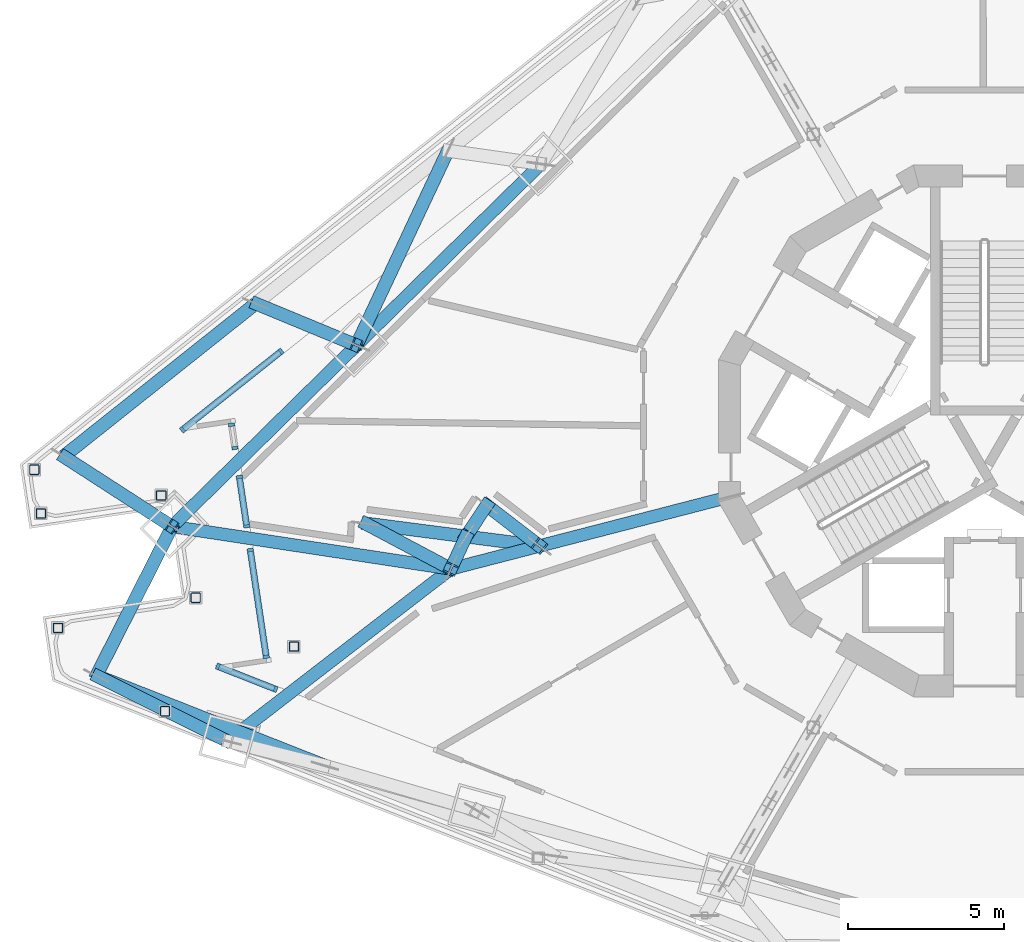
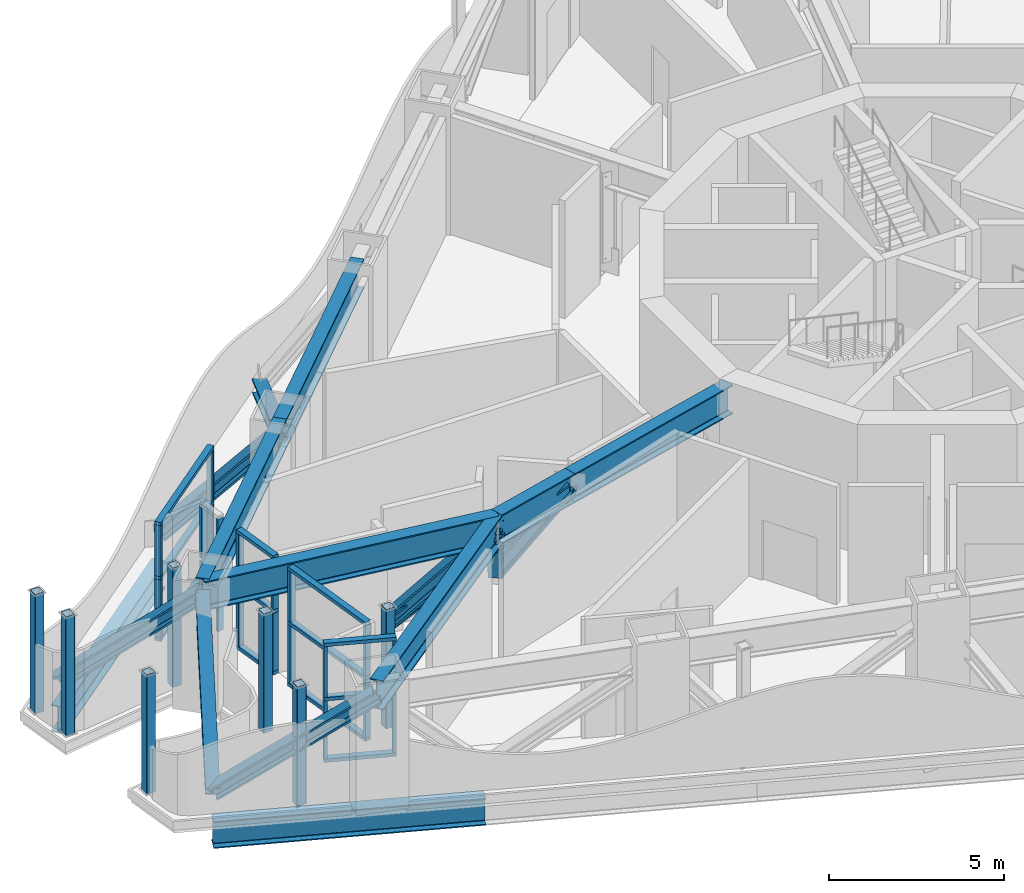
# One storey, part 2 of 27: 53 members, 4 beams, 5 elements without a shape of their own.
"""IFC4 building model written with IfcOpenShell, lengths in metres."""

from ifc_helpers import new_model, si_unit, direction, frame, origin, origin_2d, place, context, subcontext, project, spatial, rectangle, hollow_rectangle, i_section, extrude, material, layer, layer_set, material_profile, profile_set, type_object, element, aggregate, save


model = new_model("IFC4")

# Units and contexts
model_context = context("Model", 3, precision=1e-05, world=origin(), true_north=direction((0.0, 1.0)))
body_context = subcontext(model_context, "Body", "Model", "MODEL_VIEW")
ifc_project = project(units=[si_unit("LENGTHUNIT", "METRE"), si_unit("AREAUNIT", "SQUARE_METRE"), si_unit("VOLUMEUNIT", "CUBIC_METRE"), si_unit("PLANEANGLEUNIT", "RADIAN"), si_unit("MASSUNIT", "GRAM", prefix="KILO")], contexts=[model_context])

# Site, building, storey
site_placement = place(None, origin())
site = spatial("IfcSite", under=ifc_project, at=site_placement, CompositionType="ELEMENT")
building_placement = place(site_placement, origin())
building = spatial("IfcBuilding", under=site, at=building_placement, Name="Trine Commons Tower", CompositionType="ELEMENT")
storey_placement = place(building_placement, frame((0.0, 0.0, 230.39990234375)))
storey = spatial("IfcBuildingStorey", under=building, at=storey_placement, Name="L60", CompositionType="ELEMENT", Elevation=230.39990234375)

# Curtain wall, members
ifc_material_1 = material(Name="Plant louvre wall: anodised aluminium frame with anodised aluminium louvre blades", Category="aluminium")
ifc_layer = layer(ifc_material_1, 0.199951171875)
ifc_layer_set = layer_set([ifc_layer], Name="Plant louvre wall: anodised aluminium frame with anodised aluminium louvre blades")
curtain_wall_type = type_object("IfcCurtainWallType", Name="Plant louvre wall curtain wall CW7", PredefinedType="NOTDEFINED", material=ifc_layer_set)
curtain_wall_1_placement = place(storey_placement, origin())
curtain_wall_1 = element("IfcCurtainWall", 1, at=curtain_wall_1_placement, inside=storey, type_object=curtain_wall_type, Name="Plant louvre wall L60 F1.1", PredefinedType="NOTDEFINED")
ifc_material_2 = material(Name="Anodised aluminium, bronze finish", Category="aluminium")
ifc_material_profile_1 = material_profile(ifc_material_2, rectangle(XDim=0.199951171875, YDim=0.10009765625, at=origin_2d()), Name="Mullion 100x200")
ifc_profile_set_1 = profile_set([ifc_material_profile_1], Name="Anodised aluminium, bronze finish")
member_type_1 = type_object("IfcMemberType", Name="Mullion 100x200, Anodised aluminium, bronze finish", PredefinedType="MULLION", material=ifc_profile_set_1)
member_1_placement = place(storey_placement, frame((54.357421875, 62.53515625, 0.1201171875), z_axis=(0.0, 0.0, 1.0), x_axis=(-0.622514636638, 0.782608156852, 0.0)))
member_1 = element("IfcMember", 2, at=member_1_placement, type_object=member_type_1, Name="CW7 mullion 1.1", PredefinedType="MULLION", context=body_context, shape_type="SweptSolid", body=[
    extrude(rectangle(XDim=0.199951171875, YDim=0.10009765625, at=origin_2d()), origin(), (0.0, 0.0, 1.0), 2.02001953125),
])
member_2_placement = place(storey_placement, frame((54.357421875, 62.53515625, 2.260009765625), z_axis=(0.0, 0.0, 1.0), x_axis=(-0.622514636638, 0.782608156852, 0.0)))
member_2 = element("IfcMember", 3, at=member_2_placement, type_object=member_type_1, Name="CW7 mullion 1.2", PredefinedType="MULLION", context=body_context, shape_type="SweptSolid", body=[
    extrude(rectangle(XDim=0.199951171875, YDim=0.10009765625, at=origin_2d()), origin(), (0.0, 0.0, 1.0), 1.77001953125),
])
member_3_placement = place(storey_placement, frame((57.5087890625, 65.0419921875, 0.1201171875), z_axis=(0.0, 0.0, 1.0), x_axis=(-0.622514636638, 0.782608156852, 0.0)))
member_3 = element("IfcMember", 4, at=member_3_placement, type_object=member_type_1, Name="CW7 mullion 2.1", PredefinedType="MULLION", context=body_context, shape_type="SweptSolid", body=[
    extrude(rectangle(XDim=0.199951171875, YDim=0.10009765625, at=origin_2d()), origin(), (0.0, 0.0, 1.0), 2.02001953125),
])
member_4_placement = place(storey_placement, frame((57.5087890625, 65.0419921875, 2.260009765625), z_axis=(0.0, 0.0, 1.0), x_axis=(-0.622514636638, 0.782608156852, 0.0)))
member_4 = element("IfcMember", 5, at=member_4_placement, type_object=member_type_1, Name="CW7 mullion 2.2", PredefinedType="MULLION", context=body_context, shape_type="SweptSolid", body=[
    extrude(rectangle(XDim=0.199951171875, YDim=0.10009765625, at=origin_2d()), origin(), (0.0, 0.0, 1.0), 1.77001953125),
])

curtain_wall_2_placement = place(storey_placement, origin())
curtain_wall_2 = element("IfcCurtainWall", 6, at=curtain_wall_2_placement, inside=storey, type_object=curtain_wall_type, Name="Plant louvre wall L60 F3.2", PredefinedType="NOTDEFINED")
member_5_placement = place(storey_placement, frame((57.334228515625, 54.241943359375, 0.1201171875), z_axis=(0.0, 0.0, 1.0), x_axis=(-0.366501226724, -0.930417567982, 0.0)))
member_5 = element("IfcMember", 7, at=member_5_placement, type_object=member_type_1, Name="CW7 mullion 1.1", PredefinedType="MULLION", context=body_context, shape_type="SweptSolid", body=[
    extrude(rectangle(XDim=0.199951171875, YDim=0.10009765625, at=origin_2d()), origin(), (0.0, 0.0, 1.0), 2.02001953125),
])
member_6_placement = place(storey_placement, frame((57.334228515625, 54.241943359375, 2.260009765625), z_axis=(0.0, 0.0, 1.0), x_axis=(-0.366501226724, -0.930417567982, 0.0)))
member_6 = element("IfcMember", 8, at=member_6_placement, type_object=member_type_1, Name="CW7 mullion 1.2", PredefinedType="MULLION", context=body_context, shape_type="SweptSolid", body=[
    extrude(rectangle(XDim=0.199951171875, YDim=0.10009765625, at=origin_2d()), origin(), (0.0, 0.0, 1.0), 1.77001953125),
])
member_7_placement = place(storey_placement, frame((55.488037109375, 54.96923828125, 0.1201171875), z_axis=(0.0, 0.0, 1.0), x_axis=(-0.366501226724, -0.930417567982, 0.0)))
member_7 = element("IfcMember", 9, at=member_7_placement, type_object=member_type_1, Name="CW7 mullion 2.1", PredefinedType="MULLION", context=body_context, shape_type="SweptSolid", body=[
    extrude(rectangle(XDim=0.199951171875, YDim=0.10009765625, at=origin_2d()), origin(), (0.0, 0.0, 1.0), 2.02001953125),
])
member_8_placement = place(storey_placement, frame((55.488037109375, 54.96923828125, 2.260009765625), z_axis=(0.0, 0.0, 1.0), x_axis=(-0.366501226724, -0.930417567982, 0.0)))
member_8 = element("IfcMember", 10, at=member_8_placement, type_object=member_type_1, Name="CW7 mullion 2.2", PredefinedType="MULLION", context=body_context, shape_type="SweptSolid", body=[
    extrude(rectangle(XDim=0.199951171875, YDim=0.10009765625, at=origin_2d()), origin(), (0.0, 0.0, 1.0), 1.77001953125),
])

curtain_wall_3_placement = place(storey_placement, origin())
curtain_wall_3 = element("IfcCurtainWall", 11, at=curtain_wall_3_placement, inside=storey, type_object=curtain_wall_type, Name="Plant louvre wall L60 P3.1", PredefinedType="NOTDEFINED")
member_9_placement = place(storey_placement, frame((57.03466796875, 55.276123046875, 0.1201171875), z_axis=(0.0, 0.0, 1.0), x_axis=(-0.989015863362, -0.14780941113, 0.0)))
member_9 = element("IfcMember", 12, at=member_9_placement, type_object=member_type_1, Name="CW7 mullion 1.1", PredefinedType="MULLION", context=body_context, shape_type="SweptSolid", body=[
    extrude(rectangle(XDim=0.199951171875, YDim=0.10009765625, at=origin_2d()), origin(), (0.0, 0.0, 1.0), 2.02001953125),
])
member_10_placement = place(storey_placement, frame((57.03466796875, 55.276123046875, 2.260009765625), z_axis=(0.0, 0.0, 1.0), x_axis=(-0.989015863362, -0.14780941113, 0.0)))
member_10 = element("IfcMember", 13, at=member_10_placement, type_object=member_type_1, Name="CW7 mullion 1.2", PredefinedType="MULLION", context=body_context, shape_type="SweptSolid", body=[
    extrude(rectangle(XDim=0.199951171875, YDim=0.10009765625, at=origin_2d()), origin(), (0.0, 0.0, 1.0), 1.77001953125),
])
member_11_placement = place(storey_placement, frame((56.524169921875, 58.69189453125, 0.1201171875), z_axis=(0.0, 0.0, 1.0), x_axis=(-0.989015863362, -0.14780941113, 0.0)))
member_11 = element("IfcMember", 14, at=member_11_placement, type_object=member_type_1, Name="CW7 mullion 2.1", PredefinedType="MULLION", context=body_context, shape_type="SweptSolid", body=[
    extrude(rectangle(XDim=0.199951171875, YDim=0.10009765625, at=origin_2d()), origin(), (0.0, 0.0, 1.0), 2.02001953125),
])
member_12_placement = place(storey_placement, frame((56.524169921875, 58.69189453125, 2.260009765625), z_axis=(0.0, 0.0, 1.0), x_axis=(-0.989015863362, -0.14780941113, 0.0)))
member_12 = element("IfcMember", 15, at=member_12_placement, type_object=member_type_1, Name="CW7 mullion 2.2", PredefinedType="MULLION", context=body_context, shape_type="SweptSolid", body=[
    extrude(rectangle(XDim=0.199951171875, YDim=0.10009765625, at=origin_2d()), origin(), (0.0, 0.0, 1.0), 1.77001953125),
])

curtain_wall_4_placement = place(storey_placement, origin())
curtain_wall_4 = element("IfcCurtainWall", 16, at=curtain_wall_4_placement, inside=storey, type_object=curtain_wall_type, Name="Plant louvre wall L60 P3.2", PredefinedType="NOTDEFINED")
member_13_placement = place(storey_placement, frame((56.410888671875, 59.449951171875, 0.1201171875), z_axis=(0.0, 0.0, 1.0), x_axis=(-0.989015863362, -0.14780941113, 0.0)))
member_13 = element("IfcMember", 17, at=member_13_placement, type_object=member_type_1, Name="CW7 mullion 1.1", PredefinedType="MULLION", context=body_context, shape_type="SweptSolid", body=[
    extrude(rectangle(XDim=0.199951171875, YDim=0.10009765625, at=origin_2d()), origin(), (0.0, 0.0, 1.0), 2.02001953125),
])
member_14_placement = place(storey_placement, frame((56.410888671875, 59.449951171875, 2.260009765625), z_axis=(0.0, 0.0, 1.0), x_axis=(-0.989015863362, -0.14780941113, 0.0)))
member_14 = element("IfcMember", 18, at=member_14_placement, type_object=member_type_1, Name="CW7 mullion 1.2", PredefinedType="MULLION", context=body_context, shape_type="SweptSolid", body=[
    extrude(rectangle(XDim=0.199951171875, YDim=0.10009765625, at=origin_2d()), origin(), (0.0, 0.0, 1.0), 1.77001953125),
])
member_15_placement = place(storey_placement, frame((56.175048828125, 61.02685546875, 0.1201171875), z_axis=(0.0, 0.0, 1.0), x_axis=(-0.989015863362, -0.14780941113, 0.0)))
member_15 = element("IfcMember", 19, at=member_15_placement, type_object=member_type_1, Name="CW7 mullion 2.1", PredefinedType="MULLION", context=body_context, shape_type="SweptSolid", body=[
    extrude(rectangle(XDim=0.199951171875, YDim=0.10009765625, at=origin_2d()), origin(), (0.0, 0.0, 1.0), 2.02001953125),
])
member_16_placement = place(storey_placement, frame((56.175048828125, 61.02685546875, 2.260009765625), z_axis=(0.0, 0.0, 1.0), x_axis=(-0.989015863362, -0.14780941113, 0.0)))
member_16 = element("IfcMember", 20, at=member_16_placement, type_object=member_type_1, Name="CW7 mullion 2.2", PredefinedType="MULLION", context=body_context, shape_type="SweptSolid", body=[
    extrude(rectangle(XDim=0.199951171875, YDim=0.10009765625, at=origin_2d()), origin(), (0.0, 0.0, 1.0), 1.77001953125),
])

curtain_wall_5_placement = place(storey_placement, origin())
curtain_wall_5 = element("IfcCurtainWall", 21, at=curtain_wall_5_placement, inside=storey, type_object=curtain_wall_type, Name="Plant louvre wall L60 P3.3", PredefinedType="NOTDEFINED")
member_17_placement = place(storey_placement, frame((56.03662109375, 61.954345703125, 0.1201171875), z_axis=(0.0, 0.0, 1.0), x_axis=(-0.989015863362, -0.14780941113, 0.0)))
member_17 = element("IfcMember", 22, at=member_17_placement, type_object=member_type_1, Name="CW7 mullion 1.1", PredefinedType="MULLION", context=body_context, shape_type="SweptSolid", body=[
    extrude(rectangle(XDim=0.199951171875, YDim=0.10009765625, at=origin_2d()), origin(), (0.0, 0.0, 1.0), 2.02001953125),
])
member_18_placement = place(storey_placement, frame((56.03662109375, 61.954345703125, 2.260009765625), z_axis=(0.0, 0.0, 1.0), x_axis=(-0.989015863362, -0.14780941113, 0.0)))
member_18 = element("IfcMember", 23, at=member_18_placement, type_object=member_type_1, Name="CW7 mullion 1.2", PredefinedType="MULLION", context=body_context, shape_type="SweptSolid", body=[
    extrude(rectangle(XDim=0.199951171875, YDim=0.10009765625, at=origin_2d()), origin(), (0.0, 0.0, 1.0), 1.77001953125),
])
member_19_placement = place(storey_placement, frame((55.926025390625, 62.69384765625, 0.1201171875), z_axis=(0.0, 0.0, 1.0), x_axis=(-0.989015863362, -0.14780941113, 0.0)))
member_19 = element("IfcMember", 24, at=member_19_placement, type_object=member_type_1, Name="CW7 mullion 2.1", PredefinedType="MULLION", context=body_context, shape_type="SweptSolid", body=[
    extrude(rectangle(XDim=0.199951171875, YDim=0.10009765625, at=origin_2d()), origin(), (0.0, 0.0, 1.0), 2.02001953125),
])
member_20_placement = place(storey_placement, frame((55.926025390625, 62.69384765625, 2.260009765625), z_axis=(0.0, 0.0, 1.0), x_axis=(-0.989015863362, -0.14780941113, 0.0)))
member_20 = element("IfcMember", 25, at=member_20_placement, type_object=member_type_1, Name="CW7 mullion 2.2", PredefinedType="MULLION", context=body_context, shape_type="SweptSolid", body=[
    extrude(rectangle(XDim=0.199951171875, YDim=0.10009765625, at=origin_2d()), origin(), (0.0, 0.0, 1.0), 1.77001953125),
])
aggregate(curtain_wall_5, [member_17, member_18, member_19, member_20])

# Beams
ifc_material_3 = material(Name="Structural steel ASTM A992 Gr50", Category="steel")
ifc_material_profile_2 = material_profile(ifc_material_3, i_section(OverallWidth=0.4033203125, OverallDepth=1.0126953125, WebThickness=0.023681640625, FlangeThickness=0.0419921875, FilletRadius=0.030029296875, at=origin_2d()), Name="W40X297")
ifc_profile_set_2 = profile_set([ifc_material_profile_2], Name="Structural steel ASTM A992 Gr50")
beam_type = type_object("IfcBeamType", Name="Steel beam W40X297, ASTM A992 Gr50", PredefinedType="BEAM", material=ifc_profile_set_2)
beam_1_placement = place(storey_placement, frame((55.796875, 52.57958984375, 3.643798828125), z_axis=(0.791818166206, 0.610756900629, 0.0), x_axis=(-0.610756900629, 0.791818166206, 0.0)))
element("IfcBeam", 26, at=beam_1_placement, inside=storey, type_object=beam_type, Name="Transfer truss girder T6-UV-01", PredefinedType="BEAM", context=body_context, shape_type="SweptSolid", body=[
    extrude(i_section(OverallWidth=0.4033203125, OverallDepth=1.0126953125, WebThickness=0.023681640625, FlangeThickness=0.0419921875, FilletRadius=0.030029296875, at=origin_2d()), origin(), (0.0, 0.0, 1.0), 9.01806640625),
])
beam_2_placement = place(storey_placement, frame((54.02197265625, 59.442626953125, 3.643798828125), z_axis=(0.988643333515, -0.150280933905, 0.0), x_axis=(0.150280933905, 0.988643333515, 0.0)))
element("IfcBeam", 27, at=beam_2_placement, inside=storey, type_object=beam_type, Name="Transfer truss girder T6-UV-02", PredefinedType="BEAM", context=body_context, shape_type="SweptSolid", body=[
    extrude(i_section(OverallWidth=0.4033203125, OverallDepth=1.0126953125, WebThickness=0.023681640625, FlangeThickness=0.0419921875, FilletRadius=0.030029296875, at=origin_2d()), origin(), (0.0, 0.0, 1.0), 9.017822265625),
])
beam_3_placement = place(storey_placement, frame((71.88720703125, 60.40185546875, 3.643798828125), z_axis=(-0.968146588578, -0.250384071028, 0.0), x_axis=(0.250384071028, -0.968146588578, 0.0)))
element("IfcBeam", 28, at=beam_3_placement, inside=storey, type_object=beam_type, Name="Transfer truss girder T6-UR-05", PredefinedType="BEAM", context=body_context, shape_type="SweptSolid", body=[
    extrude(i_section(OverallWidth=0.4033203125, OverallDepth=1.0126953125, WebThickness=0.023681640625, FlangeThickness=0.0419921875, FilletRadius=0.030029296875, at=origin_2d()), origin(), (0.0, 0.0, 1.0), 6.3173828125),
])
beam_4_placement = place(storey_placement, frame((65.77099609375, 58.820068359375, 3.643798828125), z_axis=(-0.968158067241, -0.250339682904, 0.0), x_axis=(0.250339682904, -0.968158067241, 0.0)))
element("IfcBeam", 29, at=beam_4_placement, inside=storey, type_object=beam_type, Name="Transfer truss girder T6-UR-06", PredefinedType="BEAM", context=body_context, shape_type="SweptSolid", body=[
    extrude(i_section(OverallWidth=0.4033203125, OverallDepth=1.0126953125, WebThickness=0.023681640625, FlangeThickness=0.0419921875, FilletRadius=0.030029296875, at=origin_2d()), origin(), (0.0, 0.0, 1.0), 2.9267578125),
])

# Members
ifc_material_profile_3 = material_profile(ifc_material_3, i_section(OverallWidth=0.416015625, OverallDepth=0.444580078125, WebThickness=0.0390625, FlangeThickness=0.062744140625, FilletRadius=0.015380859375, at=origin_2d()), Name="W14X342")
ifc_profile_set_3 = profile_set([ifc_material_profile_3], Name="Structural steel ASTM A992 Gr50")
member_type_2 = type_object("IfcMemberType", Name="Steel brace W14X342, ASTM A992 Gr50", PredefinedType="BRACE", material=ifc_profile_set_3)
member_21_placement = place(storey_placement, frame((51.603515625, 54.67236328125, 0.468505859375), z_axis=(0.740750796612, -0.36968536496, 0.560910855888), x_axis=(0.446546672647, 0.894760341739, 0.0)))
element("IfcMember", 30, at=member_21_placement, inside=storey, type_object=member_type_2, Name="Belt truss brace T6-DG-12", PredefinedType="BRACE", context=body_context, shape_type="SweptSolid", body=[
    extrude(i_section(OverallWidth=0.416015625, OverallDepth=0.444580078125, WebThickness=0.0390625, FlangeThickness=0.062744140625, FilletRadius=0.015380859375, at=origin_2d()), origin(), (0.0, 0.0, 1.0), 5.660888671875),
])
member_22_placement = place(storey_placement, frame((50.5556640625, 61.683349609375, 0.468505859375), z_axis=(0.665630848892, -0.43028313362, 0.609747487019), x_axis=(0.542878435518, 0.839811290856, 0.0)))
element("IfcMember", 31, at=member_22_placement, inside=storey, type_object=member_type_2, Name="Belt truss brace T6-DG-13", PredefinedType="BRACE", context=body_context, shape_type="SweptSolid", body=[
    extrude(i_section(OverallWidth=0.416015625, OverallDepth=0.444580078125, WebThickness=0.0390625, FlangeThickness=0.062744140625, FilletRadius=0.015380859375, at=origin_2d()), origin(), (0.0, 0.0, 1.0), 5.20751953125),
])
member_23_placement = place(storey_placement, frame((51.603515625, 54.67236328125, 0.468505859375), z_axis=(0.388827321033, 0.766938928494, 0.510507585035), x_axis=(-0.891920906627, 0.452191437691, 0.0)))
element("IfcMember", 32, at=member_23_placement, inside=storey, type_object=member_type_2, Name="Belt truss brace T6-DG-14", PredefinedType="BRACE", context=body_context, shape_type="SweptSolid", body=[
    extrude(i_section(OverallWidth=0.416015625, OverallDepth=0.444580078125, WebThickness=0.0390625, FlangeThickness=0.062744140625, FilletRadius=0.015380859375, at=origin_2d()), origin(), (0.0, 0.0, 1.0), 6.219970703125),
])
member_24_placement = place(storey_placement, frame((56.699462890625, 66.570556640625, 0.468505859375), z_axis=(0.683006192114, -0.282596466022, 0.67352934526), x_axis=(0.382320852031, 0.924029634861, 0.0)))
element("IfcMember", 33, at=member_24_placement, inside=storey, type_object=member_type_2, Name="Belt truss brace T6-DG-15", PredefinedType="BRACE", context=body_context, shape_type="SweptSolid", body=[
    extrude(i_section(OverallWidth=0.416015625, OverallDepth=0.444580078125, WebThickness=0.0390625, FlangeThickness=0.062744140625, FilletRadius=0.015380859375, at=origin_2d()), origin(), (0.0, 0.0, 1.0), 4.71435546875),
])
member_25_placement = place(storey_placement, frame((62.843505859375, 71.45751953125, 0.468505859375), z_axis=(-0.386248496148, -0.821515754435, 0.419432908149), x_axis=(0.904965981526, -0.42548392717, 0.0)))
element("IfcMember", 34, at=member_25_placement, inside=storey, type_object=member_type_2, Name="Belt truss brace T6-DG-16", PredefinedType="BRACE", context=body_context, shape_type="SweptSolid", body=[
    extrude(i_section(OverallWidth=0.416015625, OverallDepth=0.444580078125, WebThickness=0.0390625, FlangeThickness=0.062744140625, FilletRadius=0.015380859375, at=origin_2d()), origin(), (0.0, 0.0, 1.0), 7.570556640625),
])
member_26_placement = place(storey_placement, frame((64.082763671875, 60.12109375, 0.468505859375), z_axis=(0.441448579579, -0.340199491045, 0.830293597398), x_axis=(0.610413550016, 0.792082885787, 0.0)))
element("IfcMember", 35, at=member_26_placement, inside=storey, type_object=member_type_2, Name="Belt truss brace T6-DG-45", PredefinedType="BRACE", context=body_context, shape_type="SweptSolid", body=[
    extrude(i_section(OverallWidth=0.416015625, OverallDepth=0.444580078125, WebThickness=0.0390625, FlangeThickness=0.062744140625, FilletRadius=0.015380859375, at=origin_2d()), origin(), (0.0, 0.0, 1.0), 3.82421875),
])
member_27_placement = place(storey_placement, frame((60.20166015625, 59.541015625, 0.468505859375), z_axis=(0.863283946189, -0.111751599732, 0.492191434514), x_axis=(0.128378254476, 0.991725276363, 0.0)))
element("IfcMember", 36, at=member_27_placement, inside=storey, type_object=member_type_2, Name="Belt truss brace T6-DG-46", PredefinedType="BRACE", context=body_context, shape_type="SweptSolid", body=[
    extrude(i_section(OverallWidth=0.416015625, OverallDepth=0.444580078125, WebThickness=0.0390625, FlangeThickness=0.062744140625, FilletRadius=0.015380859375, at=origin_2d()), origin(), (0.0, 0.0, 1.0), 6.451416015625),
])
member_28_placement = place(storey_placement, frame((64.082763671875, 60.12109375, 0.468505859375), z_axis=(-0.301618382903, -0.454934561283, 0.837890742308), x_axis=(0.833460798344, -0.552578589546, 0.0)))
element("IfcMember", 37, at=member_28_placement, inside=storey, type_object=member_type_2, Name="Belt truss brace T6-DG-47a", PredefinedType="BRACE", context=body_context, shape_type="SweptSolid", body=[
    extrude(i_section(OverallWidth=0.416015625, OverallDepth=0.444580078125, WebThickness=0.0390625, FlangeThickness=0.062744140625, FilletRadius=0.015380859375, at=origin_2d()), origin(), (0.0, 0.0, 1.0), 2.191162109375),
])
member_29_placement = place(storey_placement, frame((63.421875, 59.124267578125, 2.304443359375), z_axis=(-0.274947722614, -0.58855996872, 0.760263712832), x_axis=(0.906014116243, -0.423247470362, 0.0)))
element("IfcMember", 38, at=member_29_placement, inside=storey, type_object=member_type_2, Name="Belt truss brace T6-DG-47b", PredefinedType="BRACE", context=body_context, shape_type="SweptSolid", body=[
    extrude(i_section(OverallWidth=0.416015625, OverallDepth=0.444580078125, WebThickness=0.0390625, FlangeThickness=0.062744140625, FilletRadius=0.015380859375, at=origin_2d()), origin(), (0.0, 0.0, 1.0), 1.76171875),
])
member_30_placement = place(storey_placement, frame((60.20166015625, 59.541015625, 0.468505859375), z_axis=(0.616701279996, -0.327667269418, 0.715760918047), x_axis=(0.469205161074, 0.883089189619, 0.0)))
element("IfcMember", 39, at=member_30_placement, inside=storey, type_object=member_type_2, Name="Belt truss brace T6-DG-48", PredefinedType="BRACE", context=body_context, shape_type="SweptSolid", body=[
    extrude(i_section(OverallWidth=0.416015625, OverallDepth=0.444580078125, WebThickness=0.0390625, FlangeThickness=0.062744140625, FilletRadius=0.015380859375, at=origin_2d()), origin(), (0.0, 0.0, 1.0), 4.436279296875),
])
ifc_material_profile_4 = material_profile(ifc_material_3, i_section(OverallWidth=0.419189453125, OverallDepth=0.9365234375, WebThickness=0.021240234375, FlangeThickness=0.03662109375, FilletRadius=0.024169921875, at=origin_2d()), Name="W36X262")
ifc_profile_set_4 = profile_set([ifc_material_profile_4], Name="Structural steel ASTM A992 Gr50")
member_type_3 = type_object("IfcMemberType", Name="Steel chord W36X262, ASTM A992 Gr50", PredefinedType="CHORD", material=ifc_profile_set_4)
for number, where, z_axis, x_axis, name in (
    (40, (58.90771484375, 51.794921875, -0.918212890625), (-0.930407107338, 0.366527781506, 0.0), (-0.366527781506, -0.930407107338, 0.0), "Belt truss chord T6-LC-06"),
    (41, (50.5556640625, 61.683349609375, -0.918212890625), (0.782595200411, 0.622530924769, 0.0), (-0.622530924769, 0.782595200411, 0.0), "Belt truss chord T6-LC-07"),
):
    element("IfcMember", number, at=place(storey_placement, frame(where, z_axis=z_axis, x_axis=x_axis)), inside=storey, type_object=member_type_3, Name=name, PredefinedType="CHORD", context=body_context, shape_type="SweptSolid", body=[
        extrude(i_section(OverallWidth=0.419189453125, OverallDepth=0.9365234375, WebThickness=0.021240234375, FlangeThickness=0.03662109375, FilletRadius=0.024169921875, at=origin_2d()), origin(), (0.0, 0.0, 1.0), 7.8505859375),
    ])
ifc_material_profile_5 = material_profile(ifc_material_3, i_section(OverallWidth=0.4033203125, OverallDepth=1.0126953125, WebThickness=0.023681640625, FlangeThickness=0.0419921875, FilletRadius=0.030029296875, at=origin_2d()), Name="W40X297")
ifc_profile_set_5 = profile_set([ifc_material_profile_5], Name="Structural steel ASTM A992 Gr50")
member_type_4 = type_object("IfcMemberType", Name="Steel chord W40X297, ASTM A992 Gr50", PredefinedType="CHORD", material=ifc_profile_set_5)
member_31_placement = place(storey_placement, frame((54.02197265625, 59.442626953125, 3.643798828125), z_axis=(0.713236206055, 0.700923757888, 0.0), x_axis=(-0.700923757888, 0.713236206055, 0.0)))
element("IfcMember", 42, at=member_31_placement, inside=storey, type_object=member_type_4, Name="Belt truss chord T6-UC-06", PredefinedType="CHORD", context=body_context, shape_type="SweptSolid", body=[
    extrude(i_section(OverallWidth=0.4033203125, OverallDepth=1.0126953125, WebThickness=0.023681640625, FlangeThickness=0.0419921875, FilletRadius=0.030029296875, at=origin_2d()), origin(), (0.0, 0.0, 1.0), 8.2685546875),
])
member_32_placement = place(storey_placement, frame((59.91943359375, 65.23828125, 3.643798828125), z_axis=(0.713250711672, 0.70090899716, 0.0), x_axis=(-0.70090899716, 0.713250711672, 0.0)))
element("IfcMember", 43, at=member_32_placement, inside=storey, type_object=member_type_4, Name="Belt truss chord T6-UC-07", PredefinedType="CHORD", context=body_context, shape_type="SweptSolid", body=[
    extrude(i_section(OverallWidth=0.4033203125, OverallDepth=1.0126953125, WebThickness=0.023681640625, FlangeThickness=0.0419921875, FilletRadius=0.030029296875, at=origin_2d()), origin(), (0.0, 0.0, 1.0), 8.268798828125),
])
ifc_material_4 = material(Name="Structural steel ASTM A500 Gr C", Category="steel")
ifc_material_profile_6 = material_profile(ifc_material_4, hollow_rectangle(XDim=0.3046875, YDim=0.3046875, WallThickness=0.014892578125, InnerFilletRadius=0.00732421875, OuterFilletRadius=0.022216796875, at=origin_2d()), Name="HSS12X12X5/8")
ifc_profile_set_6 = profile_set([ifc_material_profile_6], Name="Structural steel ASTM A500 Gr C")
member_type_5 = type_object("IfcMemberType", Name="Steel post HSS12X12X5/8, ASTM A500 Gr C", PredefinedType="POST", material=ifc_profile_set_6)
for number, where, z_axis, x_axis, name in (
    (44, (50.37451171875, 56.201904296875, 0.0), (0.0, 0.0, 1.0), (1.0, 0.0, 0.0), "Roof post SP6-11"),
    (45, (57.91845703125, 55.6015625, 0.0), (0.0, 0.0, 1.0), (1.0, 0.0, 0.0), "Roof post SP6-12"),
    (46, (53.804443359375, 53.53662109375, 0.0), (0.0, 0.0, 1.0), (1.0, 0.0, 0.0), "Roof post SP6-13"),
    (47, (54.780517578125, 57.16552734375, 0.0), (0.0, 0.0, 1.0), (1.0, 0.0, 0.0), "Roof post SP6-14"),
    (48, (49.82763671875, 59.861328125, 0.0), (0.0, 0.0, 1.0), (1.0, 0.0, 0.0), "Roof post SP6-21"),
    (49, (49.618896484375, 61.2578125, 0.0), (0.0, 0.0, 1.0), (1.0, 0.0, 0.0), "Roof post SP6-22"),
    (50, (53.677978515625, 60.436767578125, 0.0), (0.0, 0.0, 1.0), (1.0, 0.0, 0.0), "Roof post SP6-24"),
):
    element("IfcMember", number, at=place(storey_placement, frame(where, z_axis=z_axis, x_axis=x_axis)), inside=storey, type_object=member_type_5, Name=name, PredefinedType="POST", context=body_context, shape_type="SweptSolid", body=[
        extrude(hollow_rectangle(XDim=0.3046875, YDim=0.3046875, WallThickness=0.014892578125, InnerFilletRadius=0.00732421875, OuterFilletRadius=0.022216796875, at=origin_2d()), origin(), (0.0, 0.0, 1.0), 4.150146484375),
    ])

# Member
ifc_material_profile_7 = material_profile(ifc_material_2, rectangle(XDim=0.199951171875, YDim=0.1201171875, at=origin_2d()), Name="Transom 120x200")
ifc_profile_set_7 = profile_set([ifc_material_profile_7], Name="Anodised aluminium, bronze finish")
member_type_6 = type_object("IfcMemberType", Name="Transom 120x200, Anodised aluminium, bronze finish", PredefinedType="USERDEFINED", material=ifc_profile_set_7)
member_33_placement = place(storey_placement, frame((54.318115234375, 62.50390625, 0.06005859375), z_axis=(0.782597124335, 0.62252850616, 0.0), x_axis=(-0.62252850616, 0.782597124335, 0.0)))
member_33 = element("IfcMember", 51, at=member_33_placement, type_object=member_type_6, Name="CW7 transom T00", ObjectType="TRANSOM", PredefinedType="USERDEFINED", context=body_context, shape_type="SweptSolid", body=[
    extrude(rectangle(XDim=0.199951171875, YDim=0.1201171875, at=origin_2d()), origin(), (0.0, 0.0, 1.0), 4.127197265625),
])

member_34_placement = place(storey_placement, frame((54.318115234375, 62.50390625, 2.2001953125), z_axis=(0.782597124335, 0.62252850616, 0.0), x_axis=(-0.62252850616, 0.782597124335, 0.0)))
member_34 = element("IfcMember", 52, at=member_34_placement, type_object=member_type_6, Name="CW7 transom T01", ObjectType="TRANSOM", PredefinedType="USERDEFINED", context=body_context, shape_type="SweptSolid", body=[
    extrude(rectangle(XDim=0.199951171875, YDim=0.1201171875, at=origin_2d()), origin(), (0.0, 0.0, 1.0), 4.127197265625),
])

member_35_placement = place(storey_placement, frame((54.318115234375, 62.50390625, 4.090087890625), z_axis=(0.782597124335, 0.62252850616, 0.0), x_axis=(-0.62252850616, 0.782597124335, 0.0)))
member_35 = element("IfcMember", 53, at=member_35_placement, type_object=member_type_6, Name="CW7 transom TH00", ObjectType="TRANSOM", PredefinedType="USERDEFINED", context=body_context, shape_type="SweptSolid", body=[
    extrude(rectangle(XDim=0.199951171875, YDim=0.1201171875, at=origin_2d()), origin(), (0.0, 0.0, 1.0), 4.127197265625),
])

aggregate(curtain_wall_1, [member_33, member_34, member_35, member_1, member_2, member_3, member_4])

member_36_placement = place(storey_placement, frame((57.380859375, 54.2236328125, 0.06005859375), z_axis=(-0.9304265467, 0.366478432103, 0.0), x_axis=(-0.366478432103, -0.9304265467, 0.0)))
member_36 = element("IfcMember", 54, at=member_36_placement, type_object=member_type_6, Name="CW7 transom T00", ObjectType="TRANSOM", PredefinedType="USERDEFINED", context=body_context, shape_type="SweptSolid", body=[
    extrude(rectangle(XDim=0.199951171875, YDim=0.1201171875, at=origin_2d()), origin(), (0.0, 0.0, 1.0), 2.08447265625),
])

member_37_placement = place(storey_placement, frame((57.380859375, 54.2236328125, 2.2001953125), z_axis=(-0.9304265467, 0.366478432103, 0.0), x_axis=(-0.366478432103, -0.9304265467, 0.0)))
member_37 = element("IfcMember", 55, at=member_37_placement, type_object=member_type_6, Name="CW7 transom T01", ObjectType="TRANSOM", PredefinedType="USERDEFINED", context=body_context, shape_type="SweptSolid", body=[
    extrude(rectangle(XDim=0.199951171875, YDim=0.1201171875, at=origin_2d()), origin(), (0.0, 0.0, 1.0), 2.08447265625),
])

member_38_placement = place(storey_placement, frame((57.380859375, 54.2236328125, 4.090087890625), z_axis=(-0.9304265467, 0.366478432103, 0.0), x_axis=(-0.366478432103, -0.9304265467, 0.0)))
member_38 = element("IfcMember", 56, at=member_38_placement, type_object=member_type_6, Name="CW7 transom TH00", ObjectType="TRANSOM", PredefinedType="USERDEFINED", context=body_context, shape_type="SweptSolid", body=[
    extrude(rectangle(XDim=0.199951171875, YDim=0.1201171875, at=origin_2d()), origin(), (0.0, 0.0, 1.0), 2.08447265625),
])

aggregate(curtain_wall_2, [member_36, member_37, member_38, member_5, member_6, member_7, member_8])

member_39_placement = place(storey_placement, frame((57.0419921875, 55.226806640625, 0.06005859375), z_axis=(-0.14784323821, 0.98901080728, 0.0), x_axis=(-0.98901080728, -0.14784323821, 0.0)))
member_39 = element("IfcMember", 57, at=member_39_placement, type_object=member_type_6, Name="CW7 transom T00", ObjectType="TRANSOM", PredefinedType="USERDEFINED", context=body_context, shape_type="SweptSolid", body=[
    extrude(rectangle(XDim=0.199951171875, YDim=0.1201171875, at=origin_2d()), origin(), (0.0, 0.0, 1.0), 3.5537109375),
])

member_40_placement = place(storey_placement, frame((57.0419921875, 55.226806640625, 2.2001953125), z_axis=(-0.14784323821, 0.98901080728, 0.0), x_axis=(-0.98901080728, -0.14784323821, 0.0)))
member_40 = element("IfcMember", 58, at=member_40_placement, type_object=member_type_6, Name="CW7 transom T01", ObjectType="TRANSOM", PredefinedType="USERDEFINED", context=body_context, shape_type="SweptSolid", body=[
    extrude(rectangle(XDim=0.199951171875, YDim=0.1201171875, at=origin_2d()), origin(), (0.0, 0.0, 1.0), 3.5537109375),
])

member_41_placement = place(storey_placement, frame((57.0419921875, 55.226806640625, 4.090087890625), z_axis=(-0.14784323821, 0.98901080728, 0.0), x_axis=(-0.98901080728, -0.14784323821, 0.0)))
member_41 = element("IfcMember", 59, at=member_41_placement, type_object=member_type_6, Name="CW7 transom TH00", ObjectType="TRANSOM", PredefinedType="USERDEFINED", context=body_context, shape_type="SweptSolid", body=[
    extrude(rectangle(XDim=0.199951171875, YDim=0.1201171875, at=origin_2d()), origin(), (0.0, 0.0, 1.0), 3.5537109375),
])

aggregate(curtain_wall_3, [member_39, member_40, member_41, member_9, member_10, member_11, member_12])

member_42_placement = place(storey_placement, frame((56.418212890625, 59.400390625, 0.06005859375), z_axis=(-0.147833134876, 0.989012317533, 0.0), x_axis=(-0.989012317533, -0.147833134876, 0.0)))
member_42 = element("IfcMember", 60, at=member_42_placement, type_object=member_type_6, Name="CW7 transom T00", ObjectType="TRANSOM", PredefinedType="USERDEFINED", context=body_context, shape_type="SweptSolid", body=[
    extrude(rectangle(XDim=0.199951171875, YDim=0.1201171875, at=origin_2d()), origin(), (0.0, 0.0, 1.0), 1.6943359375),
])

member_43_placement = place(storey_placement, frame((56.418212890625, 59.400390625, 2.2001953125), z_axis=(-0.147833134876, 0.989012317533, 0.0), x_axis=(-0.989012317533, -0.147833134876, 0.0)))
member_43 = element("IfcMember", 61, at=member_43_placement, type_object=member_type_6, Name="CW7 transom T01", ObjectType="TRANSOM", PredefinedType="USERDEFINED", context=body_context, shape_type="SweptSolid", body=[
    extrude(rectangle(XDim=0.199951171875, YDim=0.1201171875, at=origin_2d()), origin(), (0.0, 0.0, 1.0), 1.6943359375),
])

member_44_placement = place(storey_placement, frame((56.418212890625, 59.400390625, 4.090087890625), z_axis=(-0.147833134876, 0.989012317533, 0.0), x_axis=(-0.989012317533, -0.147833134876, 0.0)))
member_44 = element("IfcMember", 62, at=member_44_placement, type_object=member_type_6, Name="CW7 transom TH00", ObjectType="TRANSOM", PredefinedType="USERDEFINED", context=body_context, shape_type="SweptSolid", body=[
    extrude(rectangle(XDim=0.199951171875, YDim=0.1201171875, at=origin_2d()), origin(), (0.0, 0.0, 1.0), 1.6943359375),
])

aggregate(curtain_wall_4, [member_42, member_43, member_44, member_13, member_14, member_15, member_16])

save(model, "model.ifc")
